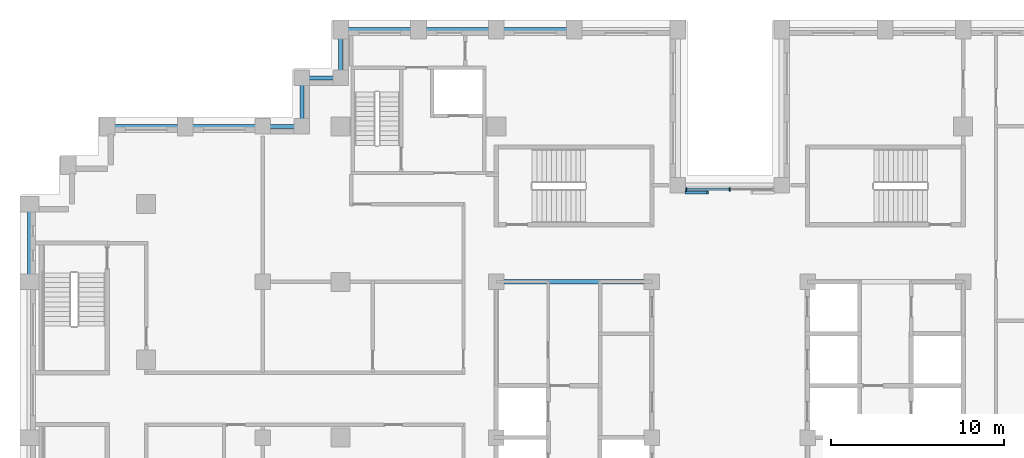
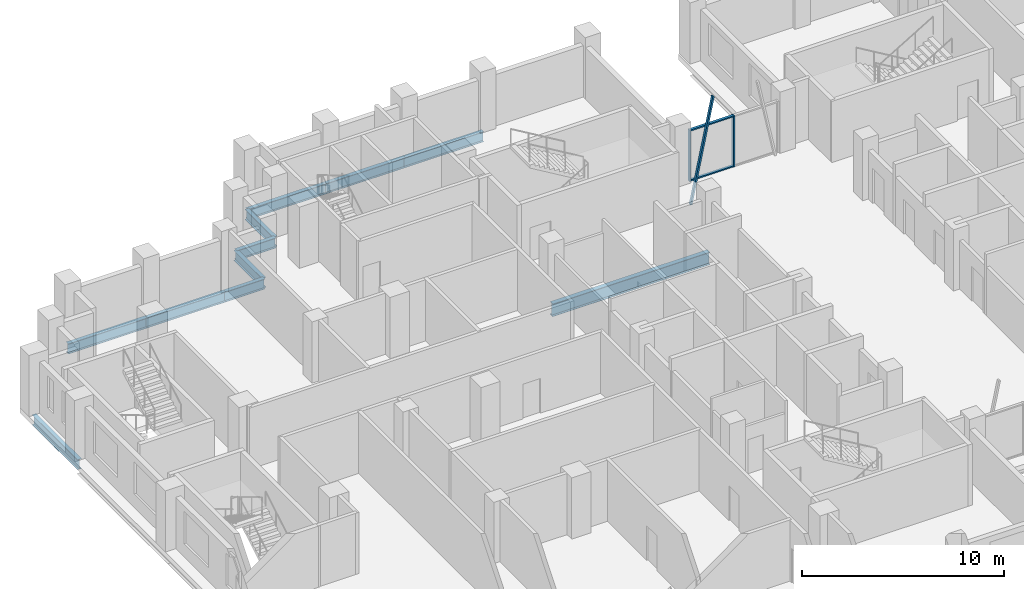
# One storey, part 3 of 16: 11 beams, 5 members, 1 element without a shape of its own.
"""IFC4 building model written with IfcOpenShell, lengths in metres."""

from ifc_helpers import new_model, si_unit, direction, frame, origin, origin_2d, place, context, subcontext, project, spatial, rectangle, i_section, extrude, material, layer, layer_set, material_profile, profile_set, type_object, element, aggregate, save


model = new_model("IFC4")

# Units and contexts
model_context = context("Model", 3, precision=1e-05, world=origin(), true_north=direction((0.0, 1.0)))
body_context = subcontext(model_context, "Body", "Model", "MODEL_VIEW")
ifc_project = project(units=[si_unit("LENGTHUNIT", "METRE"), si_unit("AREAUNIT", "SQUARE_METRE"), si_unit("VOLUMEUNIT", "CUBIC_METRE"), si_unit("PLANEANGLEUNIT", "RADIAN"), si_unit("MASSUNIT", "GRAM", prefix="KILO")], contexts=[model_context])

# Site, building, storey
site_placement = place(None, origin())
site = spatial("IfcSite", under=ifc_project, at=site_placement, CompositionType="ELEMENT")
building_placement = place(site_placement, origin())
building = spatial("IfcBuilding", under=site, at=building_placement, Name="Corbelhall Arena Tower", CompositionType="ELEMENT")
storey_placement = place(building_placement, frame((0.0, 0.0, 170.0)))
storey = spatial("IfcBuildingStorey", under=building, at=storey_placement, Name="L34", CompositionType="ELEMENT", Elevation=170.0)

# Curtain wall, members
ifc_material_1 = material(Name="Aluminium black anodised", Category="aluminium")
ifc_layer = layer(ifc_material_1, 0.199951171875)
ifc_layer_set = layer_set([ifc_layer], Name="EV-CW1 Slot back wall")
curtain_wall_type = type_object("IfcCurtainWallType", Name="EV-CW1 Slot back wall", PredefinedType="NOTDEFINED", material=ifc_layer_set)
curtain_wall_placement = place(storey_placement, origin())
curtain_wall = element("IfcCurtainWall", 1, at=curtain_wall_placement, inside=storey, type_object=curtain_wall_type, Name="Curtain wall CW1", PredefinedType="NOTDEFINED")
ifc_material_profile_1 = material_profile(ifc_material_1, rectangle(XDim=0.199951171875, YDim=0.074951171875, at=origin_2d()))
ifc_profile_set_1 = profile_set([ifc_material_profile_1], Name="Aluminium black anodised")
member_type_1 = type_object("IfcMemberType", Name="EV-CW1-MULLION", PredefinedType="MULLION", material=ifc_profile_set_1)
member_1_placement = place(storey_placement, frame((0.0, 14.35009765625, 0.0), z_axis=(0.0, 0.0, 1.0), x_axis=(0.0, -1.0, 0.0)))
member_1 = element("IfcMember", 2, at=member_1_placement, type_object=member_type_1, Name="CW1 mullion 2", PredefinedType="MULLION", context=body_context, shape_type="SweptSolid", body=[
    extrude(rectangle(XDim=0.199951171875, YDim=0.074951171875, at=origin_2d()), origin(), (0.0, 0.0, 1.0), 3.10009765625),
])
member_2_placement = place(storey_placement, frame((-2.512451171875, 14.35009765625, 0.0), z_axis=(0.0, 0.0, 1.0), x_axis=(0.0, -1.0, 0.0)))
member_2 = element("IfcMember", 3, at=member_2_placement, type_object=member_type_1, Name="CW1 mullion 3", PredefinedType="MULLION", context=body_context, shape_type="SweptSolid", body=[
    extrude(rectangle(XDim=0.199951171875, YDim=0.074951171875, at=origin_2d()), origin(), (0.0, 0.0, 1.0), 3.10009765625),
])
ifc_material_profile_2 = material_profile(ifc_material_1, rectangle(XDim=0.14990234375, YDim=0.074951171875, at=origin_2d()))
ifc_profile_set_2 = profile_set([ifc_material_profile_2], Name="Aluminium black anodised")
member_type_2 = type_object("IfcMemberType", Name="EV-CW1-TRANSOM", PredefinedType="USERDEFINED", material=ifc_profile_set_2)
member_3_placement = place(storey_placement, frame((-0.03759765625, 14.35009765625, 0.03759765625), z_axis=(-1.0, 0.0, 0.0), x_axis=(0.0, -1.0, 0.0)))
member_3 = element("IfcMember", 4, at=member_3_placement, type_object=member_type_2, Name="CW1 transom 2.1", ObjectType="transom", PredefinedType="USERDEFINED", context=body_context, shape_type="SweptSolid", body=[
    extrude(rectangle(XDim=0.14990234375, YDim=0.074951171875, at=origin_2d()), origin(), (0.0, 0.0, 1.0), 2.4375),
])
member_4_placement = place(storey_placement, frame((-0.03759765625, 14.35009765625, 3.0625), z_axis=(-1.0, 0.0, 0.0), x_axis=(0.0, -1.0, 0.0)))
member_4 = element("IfcMember", 5, at=member_4_placement, type_object=member_type_2, Name="CW1 transom 2.2", ObjectType="transom", PredefinedType="USERDEFINED", context=body_context, shape_type="SweptSolid", body=[
    extrude(rectangle(XDim=0.14990234375, YDim=0.074951171875, at=origin_2d()), origin(), (0.0, 0.0, 1.0), 2.4375),
])
aggregate(curtain_wall, [member_1, member_2, member_3, member_4])

# Member
ifc_material_profile_3 = material_profile(ifc_material_1, rectangle(XDim=0.159912109375, YDim=0.10009765625, at=origin_2d()))
ifc_profile_set_3 = profile_set([ifc_material_profile_3], Name="Aluminium black anodised")
member_type_3 = type_object("IfcMemberType", Name="EV-TR1 Tracery bar", PredefinedType="USERDEFINED", material=ifc_profile_set_3)
member_5_placement = place(storey_placement, frame((-1.27490234375, 14.169921875, 4.807373046875), z_axis=(-0.204144671158, 0.0, -0.978940730197), x_axis=(0.0, -1.0, 0.0)))
element("IfcMember", 6, at=member_5_placement, inside=storey, type_object=member_type_3, Name="Tracery bar", ObjectType="TRACERY", PredefinedType="USERDEFINED", context=body_context, shape_type="SweptSolid", body=[
    extrude(rectangle(XDim=0.159912109375, YDim=0.10009765625, at=origin_2d()), origin(), (0.0, 0.0, 1.0), 6.246337890625),
])

# Beams
ifc_material_2 = material(Name="Steel ASTM A992 Gr50", Category="steel")
ifc_material_profile_4 = material_profile(ifc_material_2, i_section(OverallWidth=0.2666015625, OverallDepth=0.761962890625, WebThickness=0.014404296875, FlangeThickness=0.021484375, at=origin_2d()))
ifc_profile_set_4 = profile_set([ifc_material_profile_4], Name="Steel ASTM A992 Gr50")
beam_type_1 = type_object("IfcBeamType", Name="ST-BEAM-W30x116", PredefinedType="BEAM", material=ifc_profile_set_4)
beam_1_placement = place(storey_placement, frame((-13.5, 9.0, -0.680908203125), z_axis=(1.0, 0.0, 0.0), x_axis=(0.0, 1.0, 0.0)))
element("IfcBeam", 7, at=beam_1_placement, inside=storey, type_object=beam_type_1, Name="Beam CEW 6", PredefinedType="BEAM", context=body_context, shape_type="SweptSolid", body=[
    extrude(i_section(OverallWidth=0.2666015625, OverallDepth=0.761962890625, WebThickness=0.014404296875, FlangeThickness=0.021484375, at=origin_2d()), origin(), (0.0, 0.0, 1.0), 9.0),
])
ifc_material_profile_5 = material_profile(ifc_material_2, i_section(OverallWidth=0.22900390625, OverallDepth=0.612060546875, WebThickness=0.011962890625, FlangeThickness=0.01953125, at=origin_2d()))
ifc_profile_set_5 = profile_set([ifc_material_profile_5], Name="Steel ASTM A992 Gr50")
beam_type_2 = type_object("IfcBeamType", Name="ST-SPANDREL-W24x84", PredefinedType="SPANDREL", material=ifc_profile_set_5)
for number, where, z_axis, x_axis, name in (
    (8, (-40.5, 9.0, -0.60595703125), (0.0, 1.0, 0.0), (-1.0, 0.0, 0.0), "Beam SP 2"),
    (9, (-31.5, 18.0, -0.60595703125), (1.0, 0.0, 0.0), (0.0, 1.0, 0.0), "Beam SP 5"),
    (10, (-36.0, 18.0, -0.60595703125), (1.0, 0.0, 0.0), (0.0, 1.0, 0.0), "Beam SP 6"),
    (11, (-13.5, 23.60009765625, -0.60595703125), (1.0, 0.0, 0.0), (0.0, 1.0, 0.0), "Beam SP 24"),
    (12, (-18.0, 23.60009765625, -0.60595703125), (1.0, 0.0, 0.0), (0.0, 1.0, 0.0), "Beam SP 25"),
    (13, (-22.5, 23.60009765625, -0.60595703125), (1.0, 0.0, 0.0), (0.0, 1.0, 0.0), "Beam SP 26"),
):
    element("IfcBeam", number, at=place(storey_placement, frame(where, z_axis=z_axis, x_axis=x_axis)), inside=storey, type_object=beam_type_2, Name=name, PredefinedType="SPANDREL", context=body_context, shape_type="SweptSolid", body=[
        extrude(i_section(OverallWidth=0.22900390625, OverallDepth=0.612060546875, WebThickness=0.011962890625, FlangeThickness=0.01953125, at=origin_2d()), origin(), (0.0, 0.0, 1.0), 4.5),
    ])
beam_2_placement = place(storey_placement, frame((-27.0, 18.0, -0.60595703125), z_axis=(1.0, 0.0, 0.0), x_axis=(0.0, 1.0, 0.0)))
element("IfcBeam", 14, at=beam_2_placement, inside=storey, type_object=beam_type_2, Name="Beam SP 37", PredefinedType="SPANDREL", context=body_context, shape_type="SweptSolid", body=[
    extrude(i_section(OverallWidth=0.22900390625, OverallDepth=0.612060546875, WebThickness=0.011962890625, FlangeThickness=0.01953125, at=origin_2d()), origin(), (0.0, 0.0, 1.0), 2.25),
])
beam_3_placement = place(storey_placement, frame((-22.5, 20.800048828125, -0.60595703125), z_axis=(0.0, 1.0, 0.0), x_axis=(-1.0, 0.0, 0.0)))
element("IfcBeam", 15, at=beam_3_placement, inside=storey, type_object=beam_type_2, Name="Beam SP 46", PredefinedType="SPANDREL", context=body_context, shape_type="SweptSolid", body=[
    extrude(i_section(OverallWidth=0.22900390625, OverallDepth=0.612060546875, WebThickness=0.011962890625, FlangeThickness=0.01953125, at=origin_2d()), origin(), (0.0, 0.0, 1.0), 2.800048828125),
])
beam_4_placement = place(storey_placement, frame((-24.75, 20.800048828125, -0.60595703125), z_axis=(1.0, 0.0, 0.0), x_axis=(0.0, 1.0, 0.0)))
element("IfcBeam", 16, at=beam_4_placement, inside=storey, type_object=beam_type_2, Name="Beam SP 47", PredefinedType="SPANDREL", context=body_context, shape_type="SweptSolid", body=[
    extrude(i_section(OverallWidth=0.22900390625, OverallDepth=0.612060546875, WebThickness=0.011962890625, FlangeThickness=0.01953125, at=origin_2d()), origin(), (0.0, 0.0, 1.0), 2.25),
])
beam_5_placement = place(storey_placement, frame((-24.75, 18.0, -0.60595703125), z_axis=(0.0, 1.0, 0.0), x_axis=(-1.0, 0.0, 0.0)))
element("IfcBeam", 17, at=beam_5_placement, inside=storey, type_object=beam_type_2, Name="Beam SP 48", PredefinedType="SPANDREL", context=body_context, shape_type="SweptSolid", body=[
    extrude(i_section(OverallWidth=0.22900390625, OverallDepth=0.612060546875, WebThickness=0.011962890625, FlangeThickness=0.01953125, at=origin_2d()), origin(), (0.0, 0.0, 1.0), 2.800048828125),
])

save(model, "model.ifc")
